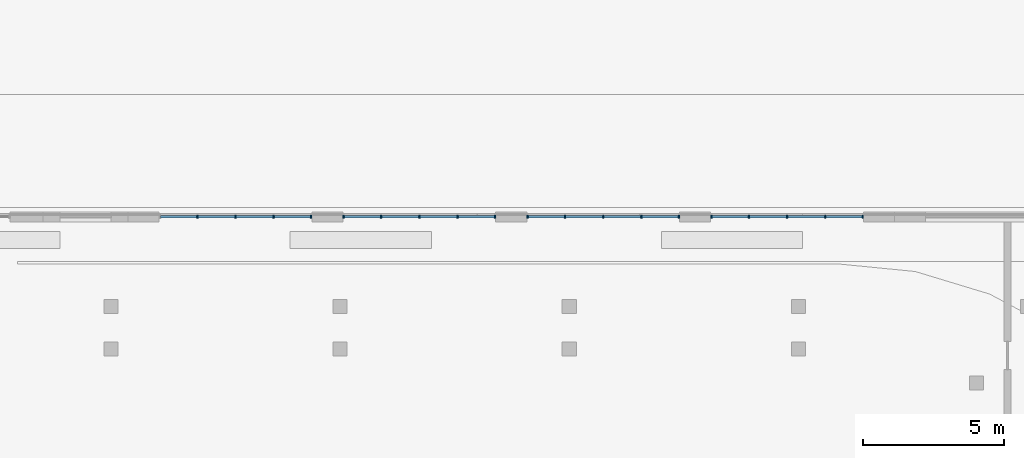
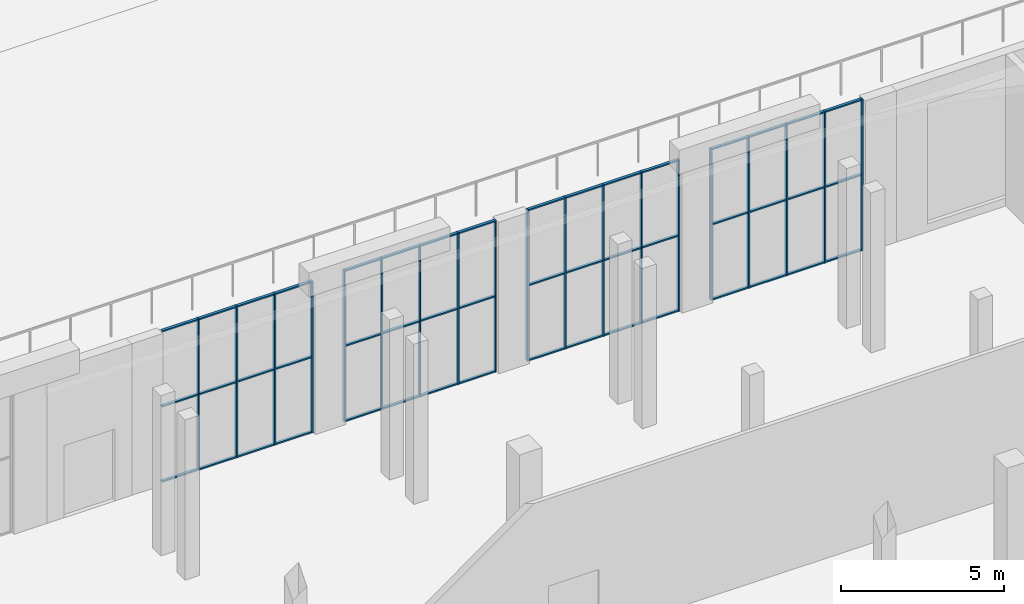
# One storey, part 6 of 32: 67 members, 4 elements without a shape of their own.
"""IFC4 building model written with IfcOpenShell, lengths in metres."""

from ifc_helpers import new_model, si_unit, direction, frame, origin, origin_2d, place, context, subcontext, project, spatial, rectangle, extrude, material, material_profile, profile_set, type_object, element, aggregate, save


model = new_model("IFC4")

# Units and contexts
model_context = context("Model", 3, precision=1e-05, world=origin(), true_north=direction((0.0, 1.0)))
body_context = subcontext(model_context, "Body", "Model", "MODEL_VIEW")
ifc_project = project(units=[si_unit("LENGTHUNIT", "METRE"), si_unit("AREAUNIT", "SQUARE_METRE"), si_unit("VOLUMEUNIT", "CUBIC_METRE"), si_unit("PLANEANGLEUNIT", "RADIAN"), si_unit("MASSUNIT", "GRAM", prefix="KILO")], contexts=[model_context])

# Site, building, storey
site_placement = place(None, origin())
site = spatial("IfcSite", under=ifc_project, at=site_placement, CompositionType="ELEMENT")
building_placement = place(site_placement, origin())
building = spatial("IfcBuilding", under=site, at=building_placement, Name="Torre Triforio", CompositionType="ELEMENT")
storey_placement = place(building_placement, origin())
storey = spatial("IfcBuildingStorey", under=building, at=storey_placement, Name="L00", CompositionType="ELEMENT", Elevation=0.0)

# Curtain wall, members
ifc_material_1 = material(Name="Aluminium mullion and transom frame with clear laminated glass", Category="aluminium")
curtain_wall_type = type_object("IfcCurtainWallType", Name="Garden cafe curtain wall ECW6", PredefinedType="NOTDEFINED", material=ifc_material_1)
curtain_wall_1_placement = place(storey_placement, origin())
curtain_wall_1 = element("IfcCurtainWall", 1, at=curtain_wall_1_placement, inside=storey, type_object=curtain_wall_type, Name="Garden cafe curtain wall L00 18.1.2.1", PredefinedType="NOTDEFINED")
ifc_material_2 = material(Name="Anodised aluminium extrusion", Category="aluminium")
ifc_material_profile_1 = material_profile(ifc_material_2, rectangle(XDim=0.1201171875, YDim=0.050048828125, at=origin_2d()), Name="ECW6 MULLION 50x120")
ifc_profile_set_1 = profile_set([ifc_material_profile_1], Name="Anodised aluminium extrusion")
member_type_1 = type_object("IfcMemberType", Name="ECW6 mullion 50 x 120", PredefinedType="MULLION", material=ifc_profile_set_1)
member_1_placement = place(storey_placement, frame((50.875, 43.675048828125, 0.0), z_axis=(0.0, 0.0, 1.0), x_axis=(0.0, -1.0, 0.0)))
member_1 = element("IfcMember", 2, at=member_1_placement, type_object=member_type_1, Name="ECW6 mullion 1", PredefinedType="MULLION", context=body_context, shape_type="SweptSolid", body=[
    extrude(rectangle(XDim=0.1201171875, YDim=0.050048828125, at=origin_2d()), origin(), (0.0, 0.0, 1.0), 5.679931640625),
])
member_2_placement = place(storey_placement, frame((49.550048828125, 43.675048828125, 0.0), z_axis=(0.0, 0.0, 1.0), x_axis=(0.0, -1.0, 0.0)))
member_2 = element("IfcMember", 3, at=member_2_placement, type_object=member_type_1, Name="ECW6 mullion 2", PredefinedType="MULLION", context=body_context, shape_type="SweptSolid", body=[
    extrude(rectangle(XDim=0.1201171875, YDim=0.050048828125, at=origin_2d()), origin(), (0.0, 0.0, 1.0), 5.679931640625),
])
member_3_placement = place(storey_placement, frame((48.199951171875, 43.675048828125, 0.0), z_axis=(0.0, 0.0, 1.0), x_axis=(0.0, -1.0, 0.0)))
member_3 = element("IfcMember", 4, at=member_3_placement, type_object=member_type_1, Name="ECW6 mullion 3", PredefinedType="MULLION", context=body_context, shape_type="SweptSolid", body=[
    extrude(rectangle(XDim=0.1201171875, YDim=0.050048828125, at=origin_2d()), origin(), (0.0, 0.0, 1.0), 5.679931640625),
])
member_4_placement = place(storey_placement, frame((46.85009765625, 43.675048828125, 0.0), z_axis=(0.0, 0.0, 1.0), x_axis=(0.0, -1.0, 0.0)))
member_4 = element("IfcMember", 5, at=member_4_placement, type_object=member_type_1, Name="ECW6 mullion 4", PredefinedType="MULLION", context=body_context, shape_type="SweptSolid", body=[
    extrude(rectangle(XDim=0.1201171875, YDim=0.050048828125, at=origin_2d()), origin(), (0.0, 0.0, 1.0), 5.679931640625),
])
member_5_placement = place(storey_placement, frame((45.52490234375, 43.675048828125, 0.0), z_axis=(0.0, 0.0, 1.0), x_axis=(0.0, -1.0, 0.0)))
member_5 = element("IfcMember", 6, at=member_5_placement, type_object=member_type_1, Name="ECW6 mullion 5", PredefinedType="MULLION", context=body_context, shape_type="SweptSolid", body=[
    extrude(rectangle(XDim=0.1201171875, YDim=0.050048828125, at=origin_2d()), origin(), (0.0, 0.0, 1.0), 5.679931640625),
])

curtain_wall_2_placement = place(storey_placement, origin())
curtain_wall_2 = element("IfcCurtainWall", 7, at=curtain_wall_2_placement, inside=storey, type_object=curtain_wall_type, Name="Garden cafe curtain wall L00 18.1.2.2", PredefinedType="NOTDEFINED")
member_6_placement = place(storey_placement, frame((44.375, 43.675048828125, 0.0), z_axis=(0.0, 0.0, 1.0), x_axis=(0.0, -1.0, 0.0)))
member_6 = element("IfcMember", 8, at=member_6_placement, type_object=member_type_1, Name="ECW6 mullion 1", PredefinedType="MULLION", context=body_context, shape_type="SweptSolid", body=[
    extrude(rectangle(XDim=0.1201171875, YDim=0.050048828125, at=origin_2d()), origin(), (0.0, 0.0, 1.0), 5.679931640625),
])
member_7_placement = place(storey_placement, frame((43.050048828125, 43.675048828125, 0.0), z_axis=(0.0, 0.0, 1.0), x_axis=(0.0, -1.0, 0.0)))
member_7 = element("IfcMember", 9, at=member_7_placement, type_object=member_type_1, Name="ECW6 mullion 2", PredefinedType="MULLION", context=body_context, shape_type="SweptSolid", body=[
    extrude(rectangle(XDim=0.1201171875, YDim=0.050048828125, at=origin_2d()), origin(), (0.0, 0.0, 1.0), 5.679931640625),
])
member_8_placement = place(storey_placement, frame((41.699951171875, 43.675048828125, 0.0), z_axis=(0.0, 0.0, 1.0), x_axis=(0.0, -1.0, 0.0)))
member_8 = element("IfcMember", 10, at=member_8_placement, type_object=member_type_1, Name="ECW6 mullion 3", PredefinedType="MULLION", context=body_context, shape_type="SweptSolid", body=[
    extrude(rectangle(XDim=0.1201171875, YDim=0.050048828125, at=origin_2d()), origin(), (0.0, 0.0, 1.0), 5.679931640625),
])
member_9_placement = place(storey_placement, frame((40.35009765625, 43.675048828125, 0.0), z_axis=(0.0, 0.0, 1.0), x_axis=(0.0, -1.0, 0.0)))
member_9 = element("IfcMember", 11, at=member_9_placement, type_object=member_type_1, Name="ECW6 mullion 4", PredefinedType="MULLION", context=body_context, shape_type="SweptSolid", body=[
    extrude(rectangle(XDim=0.1201171875, YDim=0.050048828125, at=origin_2d()), origin(), (0.0, 0.0, 1.0), 5.679931640625),
])
member_10_placement = place(storey_placement, frame((39.02490234375, 43.675048828125, 0.0), z_axis=(0.0, 0.0, 1.0), x_axis=(0.0, -1.0, 0.0)))
member_10 = element("IfcMember", 12, at=member_10_placement, type_object=member_type_1, Name="ECW6 mullion 5", PredefinedType="MULLION", context=body_context, shape_type="SweptSolid", body=[
    extrude(rectangle(XDim=0.1201171875, YDim=0.050048828125, at=origin_2d()), origin(), (0.0, 0.0, 1.0), 5.679931640625),
])

curtain_wall_3_placement = place(storey_placement, origin())
curtain_wall_3 = element("IfcCurtainWall", 13, at=curtain_wall_3_placement, inside=storey, type_object=curtain_wall_type, Name="Garden cafe curtain wall L00 18.1.2.3", PredefinedType="NOTDEFINED")
member_11_placement = place(storey_placement, frame((37.875, 43.675048828125, 0.0), z_axis=(0.0, 0.0, 1.0), x_axis=(0.0, -1.0, 0.0)))
member_11 = element("IfcMember", 14, at=member_11_placement, type_object=member_type_1, Name="ECW6 mullion 1", PredefinedType="MULLION", context=body_context, shape_type="SweptSolid", body=[
    extrude(rectangle(XDim=0.1201171875, YDim=0.050048828125, at=origin_2d()), origin(), (0.0, 0.0, 1.0), 5.679931640625),
])
member_12_placement = place(storey_placement, frame((36.550048828125, 43.675048828125, 0.0), z_axis=(0.0, 0.0, 1.0), x_axis=(0.0, -1.0, 0.0)))
member_12 = element("IfcMember", 15, at=member_12_placement, type_object=member_type_1, Name="ECW6 mullion 2", PredefinedType="MULLION", context=body_context, shape_type="SweptSolid", body=[
    extrude(rectangle(XDim=0.1201171875, YDim=0.050048828125, at=origin_2d()), origin(), (0.0, 0.0, 1.0), 5.679931640625),
])
member_13_placement = place(storey_placement, frame((35.199951171875, 43.675048828125, 0.0), z_axis=(0.0, 0.0, 1.0), x_axis=(0.0, -1.0, 0.0)))
member_13 = element("IfcMember", 16, at=member_13_placement, type_object=member_type_1, Name="ECW6 mullion 3", PredefinedType="MULLION", context=body_context, shape_type="SweptSolid", body=[
    extrude(rectangle(XDim=0.1201171875, YDim=0.050048828125, at=origin_2d()), origin(), (0.0, 0.0, 1.0), 5.679931640625),
])
member_14_placement = place(storey_placement, frame((33.85009765625, 43.675048828125, 0.0), z_axis=(0.0, 0.0, 1.0), x_axis=(0.0, -1.0, 0.0)))
member_14 = element("IfcMember", 17, at=member_14_placement, type_object=member_type_1, Name="ECW6 mullion 4", PredefinedType="MULLION", context=body_context, shape_type="SweptSolid", body=[
    extrude(rectangle(XDim=0.1201171875, YDim=0.050048828125, at=origin_2d()), origin(), (0.0, 0.0, 1.0), 5.679931640625),
])
member_15_placement = place(storey_placement, frame((32.52490234375, 43.675048828125, 0.0), z_axis=(0.0, 0.0, 1.0), x_axis=(0.0, -1.0, 0.0)))
member_15 = element("IfcMember", 18, at=member_15_placement, type_object=member_type_1, Name="ECW6 mullion 5", PredefinedType="MULLION", context=body_context, shape_type="SweptSolid", body=[
    extrude(rectangle(XDim=0.1201171875, YDim=0.050048828125, at=origin_2d()), origin(), (0.0, 0.0, 1.0), 5.679931640625),
])

curtain_wall_4_placement = place(storey_placement, origin())
curtain_wall_4 = element("IfcCurtainWall", 19, at=curtain_wall_4_placement, inside=storey, type_object=curtain_wall_type, Name="Garden cafe curtain wall L00 18.1.2.4", PredefinedType="NOTDEFINED")
member_16_placement = place(storey_placement, frame((31.375, 43.675048828125, 0.0), z_axis=(0.0, 0.0, 1.0), x_axis=(0.0, -1.0, 0.0)))
member_16 = element("IfcMember", 20, at=member_16_placement, type_object=member_type_1, Name="ECW6 mullion 1", PredefinedType="MULLION", context=body_context, shape_type="SweptSolid", body=[
    extrude(rectangle(XDim=0.1201171875, YDim=0.050048828125, at=origin_2d()), origin(), (0.0, 0.0, 1.0), 5.679931640625),
])
member_17_placement = place(storey_placement, frame((30.050048828125, 43.675048828125, 0.0), z_axis=(0.0, 0.0, 1.0), x_axis=(0.0, -1.0, 0.0)))
member_17 = element("IfcMember", 21, at=member_17_placement, type_object=member_type_1, Name="ECW6 mullion 2", PredefinedType="MULLION", context=body_context, shape_type="SweptSolid", body=[
    extrude(rectangle(XDim=0.1201171875, YDim=0.050048828125, at=origin_2d()), origin(), (0.0, 0.0, 1.0), 5.679931640625),
])
member_18_placement = place(storey_placement, frame((28.699951171875, 43.675048828125, 0.0), z_axis=(0.0, 0.0, 1.0), x_axis=(0.0, -1.0, 0.0)))
member_18 = element("IfcMember", 22, at=member_18_placement, type_object=member_type_1, Name="ECW6 mullion 3", PredefinedType="MULLION", context=body_context, shape_type="SweptSolid", body=[
    extrude(rectangle(XDim=0.1201171875, YDim=0.050048828125, at=origin_2d()), origin(), (0.0, 0.0, 1.0), 5.679931640625),
])
member_19_placement = place(storey_placement, frame((27.35009765625, 43.675048828125, 0.0), z_axis=(0.0, 0.0, 1.0), x_axis=(0.0, -1.0, 0.0)))
member_19 = element("IfcMember", 23, at=member_19_placement, type_object=member_type_1, Name="ECW6 mullion 4", PredefinedType="MULLION", context=body_context, shape_type="SweptSolid", body=[
    extrude(rectangle(XDim=0.1201171875, YDim=0.050048828125, at=origin_2d()), origin(), (0.0, 0.0, 1.0), 5.679931640625),
])

# Member
ifc_material_profile_2 = material_profile(ifc_material_2, rectangle(XDim=0.10009765625, YDim=0.050048828125, at=origin_2d()), Name="ECW6 TRANSOM 50x100")
ifc_profile_set_2 = profile_set([ifc_material_profile_2], Name="Anodised aluminium extrusion")
member_type_2 = type_object("IfcMemberType", Name="ECW6 transom 50 x 100", PredefinedType="USERDEFINED", material=ifc_profile_set_2)
member_20_placement = place(storey_placement, frame((50.85009765625, 43.675048828125, 0.02490234375), z_axis=(-1.0, 0.0, 0.0), x_axis=(0.0, -1.0, 0.0)))
member_20 = element("IfcMember", 24, at=member_20_placement, type_object=member_type_2, Name="ECW6 transom 1.1", ObjectType="TRANSOM", PredefinedType="USERDEFINED", context=body_context, shape_type="SweptSolid", body=[
    extrude(rectangle(XDim=0.10009765625, YDim=0.050048828125, at=origin_2d()), origin(), (0.0, 0.0, 1.0), 1.275146484375),
])

member_21_placement = place(storey_placement, frame((50.85009765625, 43.675048828125, 2.840087890625), z_axis=(-1.0, 0.0, 0.0), x_axis=(0.0, -1.0, 0.0)))
member_21 = element("IfcMember", 25, at=member_21_placement, type_object=member_type_2, Name="ECW6 transom 1.2", ObjectType="TRANSOM", PredefinedType="USERDEFINED", context=body_context, shape_type="SweptSolid", body=[
    extrude(rectangle(XDim=0.10009765625, YDim=0.050048828125, at=origin_2d()), origin(), (0.0, 0.0, 1.0), 1.275146484375),
])

member_22_placement = place(storey_placement, frame((50.85009765625, 43.675048828125, 5.655029296875), z_axis=(-1.0, 0.0, 0.0), x_axis=(0.0, -1.0, 0.0)))
member_22 = element("IfcMember", 26, at=member_22_placement, type_object=member_type_2, Name="ECW6 transom 1.3", ObjectType="TRANSOM", PredefinedType="USERDEFINED", context=body_context, shape_type="SweptSolid", body=[
    extrude(rectangle(XDim=0.10009765625, YDim=0.050048828125, at=origin_2d()), origin(), (0.0, 0.0, 1.0), 1.275146484375),
])

member_23_placement = place(storey_placement, frame((49.52490234375, 43.675048828125, 0.02490234375), z_axis=(-1.0, 0.0, 0.0), x_axis=(0.0, -1.0, 0.0)))
member_23 = element("IfcMember", 27, at=member_23_placement, type_object=member_type_2, Name="ECW6 transom 2.1", ObjectType="TRANSOM", PredefinedType="USERDEFINED", context=body_context, shape_type="SweptSolid", body=[
    extrude(rectangle(XDim=0.10009765625, YDim=0.050048828125, at=origin_2d()), origin(), (0.0, 0.0, 1.0), 1.2998046875),
])

member_24_placement = place(storey_placement, frame((49.52490234375, 43.675048828125, 2.840087890625), z_axis=(-1.0, 0.0, 0.0), x_axis=(0.0, -1.0, 0.0)))
member_24 = element("IfcMember", 28, at=member_24_placement, type_object=member_type_2, Name="ECW6 transom 2.2", ObjectType="TRANSOM", PredefinedType="USERDEFINED", context=body_context, shape_type="SweptSolid", body=[
    extrude(rectangle(XDim=0.10009765625, YDim=0.050048828125, at=origin_2d()), origin(), (0.0, 0.0, 1.0), 1.2998046875),
])

member_25_placement = place(storey_placement, frame((49.52490234375, 43.675048828125, 5.655029296875), z_axis=(-1.0, 0.0, 0.0), x_axis=(0.0, -1.0, 0.0)))
member_25 = element("IfcMember", 29, at=member_25_placement, type_object=member_type_2, Name="ECW6 transom 2.3", ObjectType="TRANSOM", PredefinedType="USERDEFINED", context=body_context, shape_type="SweptSolid", body=[
    extrude(rectangle(XDim=0.10009765625, YDim=0.050048828125, at=origin_2d()), origin(), (0.0, 0.0, 1.0), 1.2998046875),
])

member_26_placement = place(storey_placement, frame((48.175048828125, 43.675048828125, 0.02490234375), z_axis=(-1.0, 0.0, 0.0), x_axis=(0.0, -1.0, 0.0)))
member_26 = element("IfcMember", 30, at=member_26_placement, type_object=member_type_2, Name="ECW6 transom 3.1", ObjectType="TRANSOM", PredefinedType="USERDEFINED", context=body_context, shape_type="SweptSolid", body=[
    extrude(rectangle(XDim=0.10009765625, YDim=0.050048828125, at=origin_2d()), origin(), (0.0, 0.0, 1.0), 1.300048828125),
])

member_27_placement = place(storey_placement, frame((48.175048828125, 43.675048828125, 2.840087890625), z_axis=(-1.0, 0.0, 0.0), x_axis=(0.0, -1.0, 0.0)))
member_27 = element("IfcMember", 31, at=member_27_placement, type_object=member_type_2, Name="ECW6 transom 3.2", ObjectType="TRANSOM", PredefinedType="USERDEFINED", context=body_context, shape_type="SweptSolid", body=[
    extrude(rectangle(XDim=0.10009765625, YDim=0.050048828125, at=origin_2d()), origin(), (0.0, 0.0, 1.0), 1.300048828125),
])

member_28_placement = place(storey_placement, frame((48.175048828125, 43.675048828125, 5.655029296875), z_axis=(-1.0, 0.0, 0.0), x_axis=(0.0, -1.0, 0.0)))
member_28 = element("IfcMember", 32, at=member_28_placement, type_object=member_type_2, Name="ECW6 transom 3.3", ObjectType="TRANSOM", PredefinedType="USERDEFINED", context=body_context, shape_type="SweptSolid", body=[
    extrude(rectangle(XDim=0.10009765625, YDim=0.050048828125, at=origin_2d()), origin(), (0.0, 0.0, 1.0), 1.300048828125),
])

member_29_placement = place(storey_placement, frame((46.824951171875, 43.675048828125, 0.02490234375), z_axis=(-1.0, 0.0, 0.0), x_axis=(0.0, -1.0, 0.0)))
member_29 = element("IfcMember", 33, at=member_29_placement, type_object=member_type_2, Name="ECW6 transom 4.1", ObjectType="TRANSOM", PredefinedType="USERDEFINED", context=body_context, shape_type="SweptSolid", body=[
    extrude(rectangle(XDim=0.10009765625, YDim=0.050048828125, at=origin_2d()), origin(), (0.0, 0.0, 1.0), 1.27490234375),
])

member_30_placement = place(storey_placement, frame((46.824951171875, 43.675048828125, 2.840087890625), z_axis=(-1.0, 0.0, 0.0), x_axis=(0.0, -1.0, 0.0)))
member_30 = element("IfcMember", 34, at=member_30_placement, type_object=member_type_2, Name="ECW6 transom 4.2", ObjectType="TRANSOM", PredefinedType="USERDEFINED", context=body_context, shape_type="SweptSolid", body=[
    extrude(rectangle(XDim=0.10009765625, YDim=0.050048828125, at=origin_2d()), origin(), (0.0, 0.0, 1.0), 1.27490234375),
])

member_31_placement = place(storey_placement, frame((46.824951171875, 43.675048828125, 5.655029296875), z_axis=(-1.0, 0.0, 0.0), x_axis=(0.0, -1.0, 0.0)))
member_31 = element("IfcMember", 35, at=member_31_placement, type_object=member_type_2, Name="ECW6 transom 4.3", ObjectType="TRANSOM", PredefinedType="USERDEFINED", context=body_context, shape_type="SweptSolid", body=[
    extrude(rectangle(XDim=0.10009765625, YDim=0.050048828125, at=origin_2d()), origin(), (0.0, 0.0, 1.0), 1.27490234375),
])

aggregate(curtain_wall_1, [member_1, member_2, member_3, member_4, member_5, member_20, member_21, member_22, member_23, member_24, member_25, member_26, member_27, member_28, member_29, member_30, member_31])

member_32_placement = place(storey_placement, frame((44.35009765625, 43.675048828125, 0.02490234375), z_axis=(-1.0, 0.0, 0.0), x_axis=(0.0, -1.0, 0.0)))
member_32 = element("IfcMember", 36, at=member_32_placement, type_object=member_type_2, Name="ECW6 transom 1.1", ObjectType="TRANSOM", PredefinedType="USERDEFINED", context=body_context, shape_type="SweptSolid", body=[
    extrude(rectangle(XDim=0.10009765625, YDim=0.050048828125, at=origin_2d()), origin(), (0.0, 0.0, 1.0), 1.275146484375),
])

member_33_placement = place(storey_placement, frame((44.35009765625, 43.675048828125, 2.840087890625), z_axis=(-1.0, 0.0, 0.0), x_axis=(0.0, -1.0, 0.0)))
member_33 = element("IfcMember", 37, at=member_33_placement, type_object=member_type_2, Name="ECW6 transom 1.2", ObjectType="TRANSOM", PredefinedType="USERDEFINED", context=body_context, shape_type="SweptSolid", body=[
    extrude(rectangle(XDim=0.10009765625, YDim=0.050048828125, at=origin_2d()), origin(), (0.0, 0.0, 1.0), 1.275146484375),
])

member_34_placement = place(storey_placement, frame((44.35009765625, 43.675048828125, 5.655029296875), z_axis=(-1.0, 0.0, 0.0), x_axis=(0.0, -1.0, 0.0)))
member_34 = element("IfcMember", 38, at=member_34_placement, type_object=member_type_2, Name="ECW6 transom 1.3", ObjectType="TRANSOM", PredefinedType="USERDEFINED", context=body_context, shape_type="SweptSolid", body=[
    extrude(rectangle(XDim=0.10009765625, YDim=0.050048828125, at=origin_2d()), origin(), (0.0, 0.0, 1.0), 1.275146484375),
])

member_35_placement = place(storey_placement, frame((43.02490234375, 43.675048828125, 0.02490234375), z_axis=(-1.0, 0.0, 0.0), x_axis=(0.0, -1.0, 0.0)))
member_35 = element("IfcMember", 39, at=member_35_placement, type_object=member_type_2, Name="ECW6 transom 2.1", ObjectType="TRANSOM", PredefinedType="USERDEFINED", context=body_context, shape_type="SweptSolid", body=[
    extrude(rectangle(XDim=0.10009765625, YDim=0.050048828125, at=origin_2d()), origin(), (0.0, 0.0, 1.0), 1.2998046875),
])

member_36_placement = place(storey_placement, frame((43.02490234375, 43.675048828125, 2.840087890625), z_axis=(-1.0, 0.0, 0.0), x_axis=(0.0, -1.0, 0.0)))
member_36 = element("IfcMember", 40, at=member_36_placement, type_object=member_type_2, Name="ECW6 transom 2.2", ObjectType="TRANSOM", PredefinedType="USERDEFINED", context=body_context, shape_type="SweptSolid", body=[
    extrude(rectangle(XDim=0.10009765625, YDim=0.050048828125, at=origin_2d()), origin(), (0.0, 0.0, 1.0), 1.2998046875),
])

member_37_placement = place(storey_placement, frame((43.02490234375, 43.675048828125, 5.655029296875), z_axis=(-1.0, 0.0, 0.0), x_axis=(0.0, -1.0, 0.0)))
member_37 = element("IfcMember", 41, at=member_37_placement, type_object=member_type_2, Name="ECW6 transom 2.3", ObjectType="TRANSOM", PredefinedType="USERDEFINED", context=body_context, shape_type="SweptSolid", body=[
    extrude(rectangle(XDim=0.10009765625, YDim=0.050048828125, at=origin_2d()), origin(), (0.0, 0.0, 1.0), 1.2998046875),
])

member_38_placement = place(storey_placement, frame((41.675048828125, 43.675048828125, 0.02490234375), z_axis=(-1.0, 0.0, 0.0), x_axis=(0.0, -1.0, 0.0)))
member_38 = element("IfcMember", 42, at=member_38_placement, type_object=member_type_2, Name="ECW6 transom 3.1", ObjectType="TRANSOM", PredefinedType="USERDEFINED", context=body_context, shape_type="SweptSolid", body=[
    extrude(rectangle(XDim=0.10009765625, YDim=0.050048828125, at=origin_2d()), origin(), (0.0, 0.0, 1.0), 1.300048828125),
])

member_39_placement = place(storey_placement, frame((41.675048828125, 43.675048828125, 2.840087890625), z_axis=(-1.0, 0.0, 0.0), x_axis=(0.0, -1.0, 0.0)))
member_39 = element("IfcMember", 43, at=member_39_placement, type_object=member_type_2, Name="ECW6 transom 3.2", ObjectType="TRANSOM", PredefinedType="USERDEFINED", context=body_context, shape_type="SweptSolid", body=[
    extrude(rectangle(XDim=0.10009765625, YDim=0.050048828125, at=origin_2d()), origin(), (0.0, 0.0, 1.0), 1.300048828125),
])

member_40_placement = place(storey_placement, frame((41.675048828125, 43.675048828125, 5.655029296875), z_axis=(-1.0, 0.0, 0.0), x_axis=(0.0, -1.0, 0.0)))
member_40 = element("IfcMember", 44, at=member_40_placement, type_object=member_type_2, Name="ECW6 transom 3.3", ObjectType="TRANSOM", PredefinedType="USERDEFINED", context=body_context, shape_type="SweptSolid", body=[
    extrude(rectangle(XDim=0.10009765625, YDim=0.050048828125, at=origin_2d()), origin(), (0.0, 0.0, 1.0), 1.300048828125),
])

member_41_placement = place(storey_placement, frame((40.324951171875, 43.675048828125, 0.02490234375), z_axis=(-1.0, 0.0, 0.0), x_axis=(0.0, -1.0, 0.0)))
member_41 = element("IfcMember", 45, at=member_41_placement, type_object=member_type_2, Name="ECW6 transom 4.1", ObjectType="TRANSOM", PredefinedType="USERDEFINED", context=body_context, shape_type="SweptSolid", body=[
    extrude(rectangle(XDim=0.10009765625, YDim=0.050048828125, at=origin_2d()), origin(), (0.0, 0.0, 1.0), 1.27490234375),
])

member_42_placement = place(storey_placement, frame((40.324951171875, 43.675048828125, 2.840087890625), z_axis=(-1.0, 0.0, 0.0), x_axis=(0.0, -1.0, 0.0)))
member_42 = element("IfcMember", 46, at=member_42_placement, type_object=member_type_2, Name="ECW6 transom 4.2", ObjectType="TRANSOM", PredefinedType="USERDEFINED", context=body_context, shape_type="SweptSolid", body=[
    extrude(rectangle(XDim=0.10009765625, YDim=0.050048828125, at=origin_2d()), origin(), (0.0, 0.0, 1.0), 1.27490234375),
])

member_43_placement = place(storey_placement, frame((40.324951171875, 43.675048828125, 5.655029296875), z_axis=(-1.0, 0.0, 0.0), x_axis=(0.0, -1.0, 0.0)))
member_43 = element("IfcMember", 47, at=member_43_placement, type_object=member_type_2, Name="ECW6 transom 4.3", ObjectType="TRANSOM", PredefinedType="USERDEFINED", context=body_context, shape_type="SweptSolid", body=[
    extrude(rectangle(XDim=0.10009765625, YDim=0.050048828125, at=origin_2d()), origin(), (0.0, 0.0, 1.0), 1.27490234375),
])

aggregate(curtain_wall_2, [member_6, member_7, member_8, member_9, member_10, member_32, member_33, member_34, member_35, member_36, member_37, member_38, member_39, member_40, member_41, member_42, member_43])

member_44_placement = place(storey_placement, frame((37.85009765625, 43.675048828125, 0.02490234375), z_axis=(-1.0, 0.0, 0.0), x_axis=(0.0, -1.0, 0.0)))
member_44 = element("IfcMember", 48, at=member_44_placement, type_object=member_type_2, Name="ECW6 transom 1.1", ObjectType="TRANSOM", PredefinedType="USERDEFINED", context=body_context, shape_type="SweptSolid", body=[
    extrude(rectangle(XDim=0.10009765625, YDim=0.050048828125, at=origin_2d()), origin(), (0.0, 0.0, 1.0), 1.275146484375),
])

member_45_placement = place(storey_placement, frame((37.85009765625, 43.675048828125, 2.840087890625), z_axis=(-1.0, 0.0, 0.0), x_axis=(0.0, -1.0, 0.0)))
member_45 = element("IfcMember", 49, at=member_45_placement, type_object=member_type_2, Name="ECW6 transom 1.2", ObjectType="TRANSOM", PredefinedType="USERDEFINED", context=body_context, shape_type="SweptSolid", body=[
    extrude(rectangle(XDim=0.10009765625, YDim=0.050048828125, at=origin_2d()), origin(), (0.0, 0.0, 1.0), 1.275146484375),
])

member_46_placement = place(storey_placement, frame((37.85009765625, 43.675048828125, 5.655029296875), z_axis=(-1.0, 0.0, 0.0), x_axis=(0.0, -1.0, 0.0)))
member_46 = element("IfcMember", 50, at=member_46_placement, type_object=member_type_2, Name="ECW6 transom 1.3", ObjectType="TRANSOM", PredefinedType="USERDEFINED", context=body_context, shape_type="SweptSolid", body=[
    extrude(rectangle(XDim=0.10009765625, YDim=0.050048828125, at=origin_2d()), origin(), (0.0, 0.0, 1.0), 1.275146484375),
])

member_47_placement = place(storey_placement, frame((36.52490234375, 43.675048828125, 0.02490234375), z_axis=(-1.0, 0.0, 0.0), x_axis=(0.0, -1.0, 0.0)))
member_47 = element("IfcMember", 51, at=member_47_placement, type_object=member_type_2, Name="ECW6 transom 2.1", ObjectType="TRANSOM", PredefinedType="USERDEFINED", context=body_context, shape_type="SweptSolid", body=[
    extrude(rectangle(XDim=0.10009765625, YDim=0.050048828125, at=origin_2d()), origin(), (0.0, 0.0, 1.0), 1.2998046875),
])

member_48_placement = place(storey_placement, frame((36.52490234375, 43.675048828125, 2.840087890625), z_axis=(-1.0, 0.0, 0.0), x_axis=(0.0, -1.0, 0.0)))
member_48 = element("IfcMember", 52, at=member_48_placement, type_object=member_type_2, Name="ECW6 transom 2.2", ObjectType="TRANSOM", PredefinedType="USERDEFINED", context=body_context, shape_type="SweptSolid", body=[
    extrude(rectangle(XDim=0.10009765625, YDim=0.050048828125, at=origin_2d()), origin(), (0.0, 0.0, 1.0), 1.2998046875),
])

member_49_placement = place(storey_placement, frame((36.52490234375, 43.675048828125, 5.655029296875), z_axis=(-1.0, 0.0, 0.0), x_axis=(0.0, -1.0, 0.0)))
member_49 = element("IfcMember", 53, at=member_49_placement, type_object=member_type_2, Name="ECW6 transom 2.3", ObjectType="TRANSOM", PredefinedType="USERDEFINED", context=body_context, shape_type="SweptSolid", body=[
    extrude(rectangle(XDim=0.10009765625, YDim=0.050048828125, at=origin_2d()), origin(), (0.0, 0.0, 1.0), 1.2998046875),
])

member_50_placement = place(storey_placement, frame((35.175048828125, 43.675048828125, 0.02490234375), z_axis=(-1.0, 0.0, 0.0), x_axis=(0.0, -1.0, 0.0)))
member_50 = element("IfcMember", 54, at=member_50_placement, type_object=member_type_2, Name="ECW6 transom 3.1", ObjectType="TRANSOM", PredefinedType="USERDEFINED", context=body_context, shape_type="SweptSolid", body=[
    extrude(rectangle(XDim=0.10009765625, YDim=0.050048828125, at=origin_2d()), origin(), (0.0, 0.0, 1.0), 1.300048828125),
])

member_51_placement = place(storey_placement, frame((35.175048828125, 43.675048828125, 2.840087890625), z_axis=(-1.0, 0.0, 0.0), x_axis=(0.0, -1.0, 0.0)))
member_51 = element("IfcMember", 55, at=member_51_placement, type_object=member_type_2, Name="ECW6 transom 3.2", ObjectType="TRANSOM", PredefinedType="USERDEFINED", context=body_context, shape_type="SweptSolid", body=[
    extrude(rectangle(XDim=0.10009765625, YDim=0.050048828125, at=origin_2d()), origin(), (0.0, 0.0, 1.0), 1.300048828125),
])

member_52_placement = place(storey_placement, frame((35.175048828125, 43.675048828125, 5.655029296875), z_axis=(-1.0, 0.0, 0.0), x_axis=(0.0, -1.0, 0.0)))
member_52 = element("IfcMember", 56, at=member_52_placement, type_object=member_type_2, Name="ECW6 transom 3.3", ObjectType="TRANSOM", PredefinedType="USERDEFINED", context=body_context, shape_type="SweptSolid", body=[
    extrude(rectangle(XDim=0.10009765625, YDim=0.050048828125, at=origin_2d()), origin(), (0.0, 0.0, 1.0), 1.300048828125),
])

member_53_placement = place(storey_placement, frame((33.824951171875, 43.675048828125, 0.02490234375), z_axis=(-1.0, 0.0, 0.0), x_axis=(0.0, -1.0, 0.0)))
member_53 = element("IfcMember", 57, at=member_53_placement, type_object=member_type_2, Name="ECW6 transom 4.1", ObjectType="TRANSOM", PredefinedType="USERDEFINED", context=body_context, shape_type="SweptSolid", body=[
    extrude(rectangle(XDim=0.10009765625, YDim=0.050048828125, at=origin_2d()), origin(), (0.0, 0.0, 1.0), 1.27490234375),
])

member_54_placement = place(storey_placement, frame((33.824951171875, 43.675048828125, 2.840087890625), z_axis=(-1.0, 0.0, 0.0), x_axis=(0.0, -1.0, 0.0)))
member_54 = element("IfcMember", 58, at=member_54_placement, type_object=member_type_2, Name="ECW6 transom 4.2", ObjectType="TRANSOM", PredefinedType="USERDEFINED", context=body_context, shape_type="SweptSolid", body=[
    extrude(rectangle(XDim=0.10009765625, YDim=0.050048828125, at=origin_2d()), origin(), (0.0, 0.0, 1.0), 1.27490234375),
])

member_55_placement = place(storey_placement, frame((33.824951171875, 43.675048828125, 5.655029296875), z_axis=(-1.0, 0.0, 0.0), x_axis=(0.0, -1.0, 0.0)))
member_55 = element("IfcMember", 59, at=member_55_placement, type_object=member_type_2, Name="ECW6 transom 4.3", ObjectType="TRANSOM", PredefinedType="USERDEFINED", context=body_context, shape_type="SweptSolid", body=[
    extrude(rectangle(XDim=0.10009765625, YDim=0.050048828125, at=origin_2d()), origin(), (0.0, 0.0, 1.0), 1.27490234375),
])

aggregate(curtain_wall_3, [member_11, member_12, member_13, member_14, member_15, member_44, member_45, member_46, member_47, member_48, member_49, member_50, member_51, member_52, member_53, member_54, member_55])

member_56_placement = place(storey_placement, frame((31.35009765625, 43.675048828125, 0.02490234375), z_axis=(-1.0, 0.0, 0.0), x_axis=(0.0, -1.0, 0.0)))
member_56 = element("IfcMember", 60, at=member_56_placement, type_object=member_type_2, Name="ECW6 transom 1.1", ObjectType="TRANSOM", PredefinedType="USERDEFINED", context=body_context, shape_type="SweptSolid", body=[
    extrude(rectangle(XDim=0.10009765625, YDim=0.050048828125, at=origin_2d()), origin(), (0.0, 0.0, 1.0), 1.275146484375),
])

member_57_placement = place(storey_placement, frame((31.35009765625, 43.675048828125, 2.840087890625), z_axis=(-1.0, 0.0, 0.0), x_axis=(0.0, -1.0, 0.0)))
member_57 = element("IfcMember", 61, at=member_57_placement, type_object=member_type_2, Name="ECW6 transom 1.2", ObjectType="TRANSOM", PredefinedType="USERDEFINED", context=body_context, shape_type="SweptSolid", body=[
    extrude(rectangle(XDim=0.10009765625, YDim=0.050048828125, at=origin_2d()), origin(), (0.0, 0.0, 1.0), 1.275146484375),
])

member_58_placement = place(storey_placement, frame((31.35009765625, 43.675048828125, 5.655029296875), z_axis=(-1.0, 0.0, 0.0), x_axis=(0.0, -1.0, 0.0)))
member_58 = element("IfcMember", 62, at=member_58_placement, type_object=member_type_2, Name="ECW6 transom 1.3", ObjectType="TRANSOM", PredefinedType="USERDEFINED", context=body_context, shape_type="SweptSolid", body=[
    extrude(rectangle(XDim=0.10009765625, YDim=0.050048828125, at=origin_2d()), origin(), (0.0, 0.0, 1.0), 1.275146484375),
])

member_59_placement = place(storey_placement, frame((30.02490234375, 43.675048828125, 0.02490234375), z_axis=(-1.0, 0.0, 0.0), x_axis=(0.0, -1.0, 0.0)))
member_59 = element("IfcMember", 63, at=member_59_placement, type_object=member_type_2, Name="ECW6 transom 2.1", ObjectType="TRANSOM", PredefinedType="USERDEFINED", context=body_context, shape_type="SweptSolid", body=[
    extrude(rectangle(XDim=0.10009765625, YDim=0.050048828125, at=origin_2d()), origin(), (0.0, 0.0, 1.0), 1.2998046875),
])

member_60_placement = place(storey_placement, frame((30.02490234375, 43.675048828125, 2.840087890625), z_axis=(-1.0, 0.0, 0.0), x_axis=(0.0, -1.0, 0.0)))
member_60 = element("IfcMember", 64, at=member_60_placement, type_object=member_type_2, Name="ECW6 transom 2.2", ObjectType="TRANSOM", PredefinedType="USERDEFINED", context=body_context, shape_type="SweptSolid", body=[
    extrude(rectangle(XDim=0.10009765625, YDim=0.050048828125, at=origin_2d()), origin(), (0.0, 0.0, 1.0), 1.2998046875),
])

member_61_placement = place(storey_placement, frame((30.02490234375, 43.675048828125, 5.655029296875), z_axis=(-1.0, 0.0, 0.0), x_axis=(0.0, -1.0, 0.0)))
member_61 = element("IfcMember", 65, at=member_61_placement, type_object=member_type_2, Name="ECW6 transom 2.3", ObjectType="TRANSOM", PredefinedType="USERDEFINED", context=body_context, shape_type="SweptSolid", body=[
    extrude(rectangle(XDim=0.10009765625, YDim=0.050048828125, at=origin_2d()), origin(), (0.0, 0.0, 1.0), 1.2998046875),
])

member_62_placement = place(storey_placement, frame((28.675048828125, 43.675048828125, 0.02490234375), z_axis=(-1.0, 0.0, 0.0), x_axis=(0.0, -1.0, 0.0)))
member_62 = element("IfcMember", 66, at=member_62_placement, type_object=member_type_2, Name="ECW6 transom 3.1", ObjectType="TRANSOM", PredefinedType="USERDEFINED", context=body_context, shape_type="SweptSolid", body=[
    extrude(rectangle(XDim=0.10009765625, YDim=0.050048828125, at=origin_2d()), origin(), (0.0, 0.0, 1.0), 1.300048828125),
])

member_63_placement = place(storey_placement, frame((28.675048828125, 43.675048828125, 2.840087890625), z_axis=(-1.0, 0.0, 0.0), x_axis=(0.0, -1.0, 0.0)))
member_63 = element("IfcMember", 67, at=member_63_placement, type_object=member_type_2, Name="ECW6 transom 3.2", ObjectType="TRANSOM", PredefinedType="USERDEFINED", context=body_context, shape_type="SweptSolid", body=[
    extrude(rectangle(XDim=0.10009765625, YDim=0.050048828125, at=origin_2d()), origin(), (0.0, 0.0, 1.0), 1.300048828125),
])

member_64_placement = place(storey_placement, frame((28.675048828125, 43.675048828125, 5.655029296875), z_axis=(-1.0, 0.0, 0.0), x_axis=(0.0, -1.0, 0.0)))
member_64 = element("IfcMember", 68, at=member_64_placement, type_object=member_type_2, Name="ECW6 transom 3.3", ObjectType="TRANSOM", PredefinedType="USERDEFINED", context=body_context, shape_type="SweptSolid", body=[
    extrude(rectangle(XDim=0.10009765625, YDim=0.050048828125, at=origin_2d()), origin(), (0.0, 0.0, 1.0), 1.300048828125),
])

member_65_placement = place(storey_placement, frame((27.324951171875, 43.675048828125, 0.02490234375), z_axis=(-1.0, 0.0, 0.0), x_axis=(0.0, -1.0, 0.0)))
member_65 = element("IfcMember", 69, at=member_65_placement, type_object=member_type_2, Name="ECW6 transom 4.1", ObjectType="TRANSOM", PredefinedType="USERDEFINED", context=body_context, shape_type="SweptSolid", body=[
    extrude(rectangle(XDim=0.10009765625, YDim=0.050048828125, at=origin_2d()), origin(), (0.0, 0.0, 1.0), 1.27490234375),
])

member_66_placement = place(storey_placement, frame((27.324951171875, 43.675048828125, 2.840087890625), z_axis=(-1.0, 0.0, 0.0), x_axis=(0.0, -1.0, 0.0)))
member_66 = element("IfcMember", 70, at=member_66_placement, type_object=member_type_2, Name="ECW6 transom 4.2", ObjectType="TRANSOM", PredefinedType="USERDEFINED", context=body_context, shape_type="SweptSolid", body=[
    extrude(rectangle(XDim=0.10009765625, YDim=0.050048828125, at=origin_2d()), origin(), (0.0, 0.0, 1.0), 1.27490234375),
])

member_67_placement = place(storey_placement, frame((27.324951171875, 43.675048828125, 5.655029296875), z_axis=(-1.0, 0.0, 0.0), x_axis=(0.0, -1.0, 0.0)))
member_67 = element("IfcMember", 71, at=member_67_placement, type_object=member_type_2, Name="ECW6 transom 4.3", ObjectType="TRANSOM", PredefinedType="USERDEFINED", context=body_context, shape_type="SweptSolid", body=[
    extrude(rectangle(XDim=0.10009765625, YDim=0.050048828125, at=origin_2d()), origin(), (0.0, 0.0, 1.0), 1.27490234375),
])

aggregate(curtain_wall_4, [member_16, member_17, member_18, member_19, member_56, member_57, member_58, member_59, member_60, member_61, member_62, member_63, member_64, member_65, member_66, member_67])

save(model, "model.ifc")
